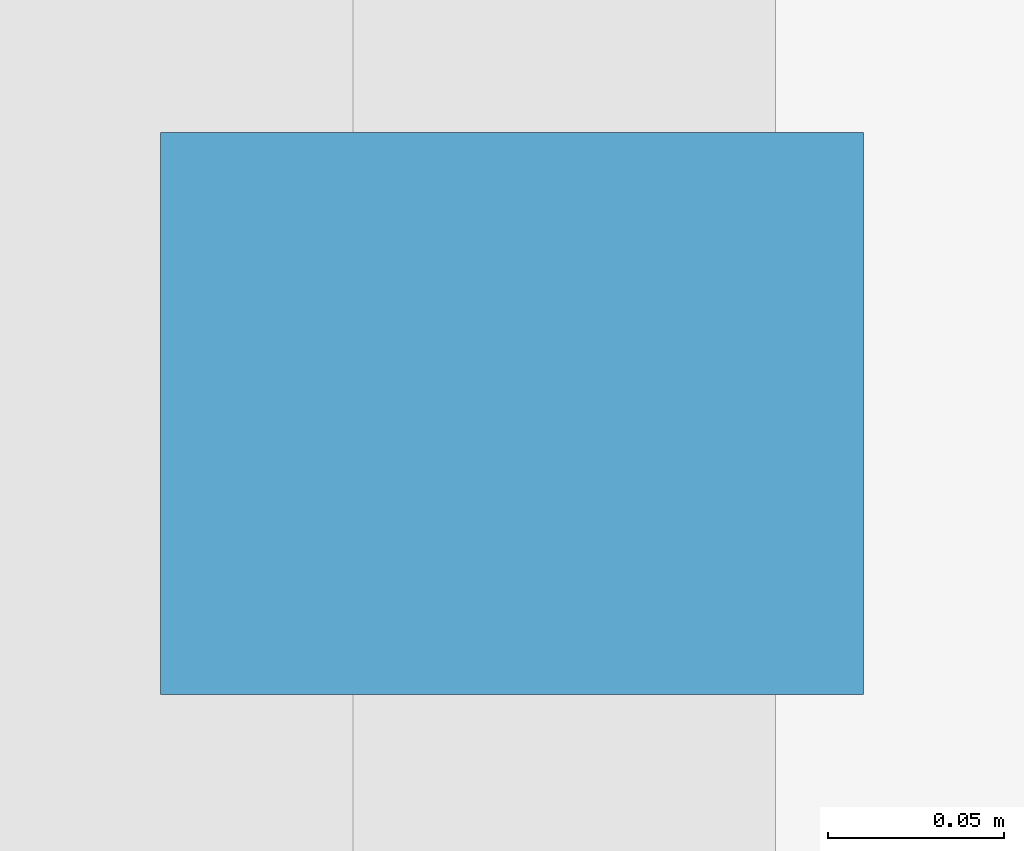
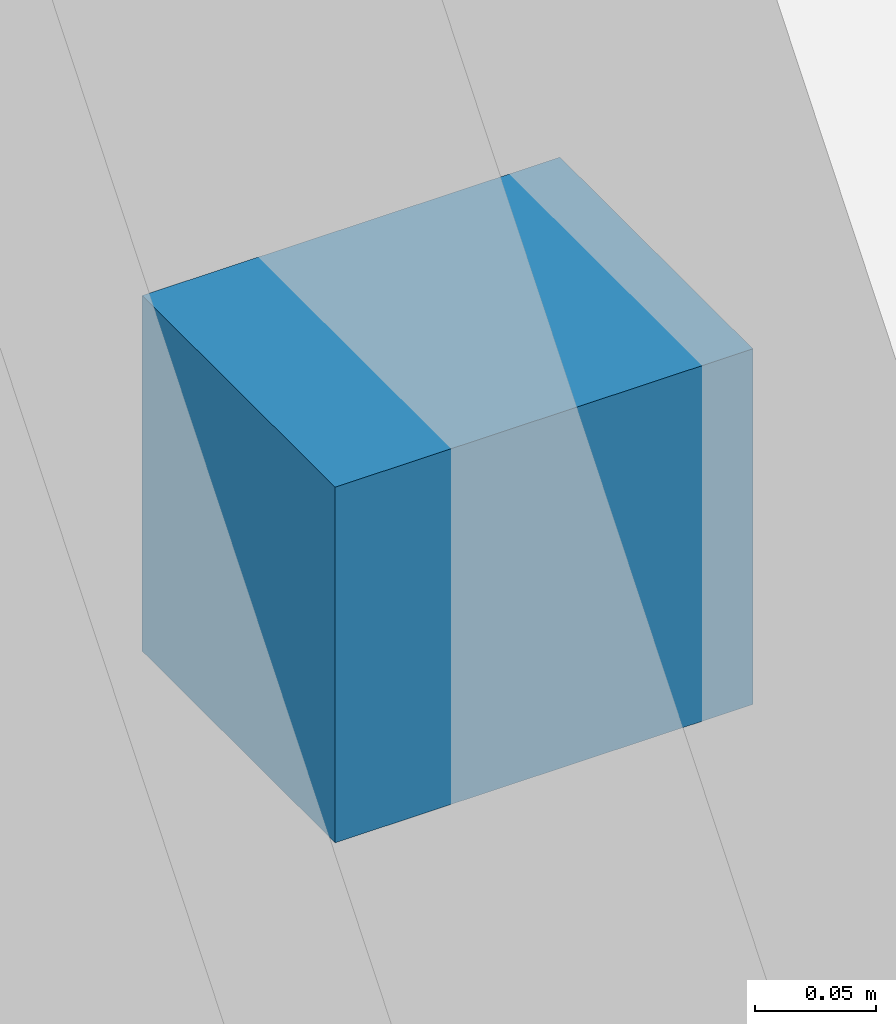
# One storey, part 14 of 17: 1 discrete accessory.
"""IFC4 building model written with IfcOpenShell, lengths in metres."""

from ifc_helpers import new_model, si_unit, direction, frame, origin, origin_2d, place, context, subcontext, project, spatial, rectangle, extrude, material, type_object, element, save


model = new_model("IFC4")

# Units and contexts
model_context = context("Model", 3, precision=1e-05, world=origin(), true_north=direction((0.0, 1.0)))
body_context = subcontext(model_context, "Body", "Model", "MODEL_VIEW")
ifc_project = project(units=[si_unit("LENGTHUNIT", "METRE"), si_unit("AREAUNIT", "SQUARE_METRE"), si_unit("VOLUMEUNIT", "CUBIC_METRE"), si_unit("PLANEANGLEUNIT", "RADIAN"), si_unit("MASSUNIT", "GRAM", prefix="KILO")], contexts=[model_context])

# Site, building, storey
site_placement = place(None, origin())
site = spatial("IfcSite", under=ifc_project, at=site_placement, CompositionType="ELEMENT")
building_placement = place(site_placement, origin())
building = spatial("IfcBuilding", under=site, at=building_placement, Name="Koriwani Terraces Tower", CompositionType="ELEMENT")
storey_placement = place(building_placement, frame((0.0, 0.0, 347.60009765625)))
storey = spatial("IfcBuildingStorey", under=building, at=storey_placement, Name="L86", CompositionType="ELEMENT", Elevation=347.60009765625)

# Discrete accessory
ifc_material = material(Name="Steel ASTM A572 Grade 50", Category="steel")
discrete_accessory_type = type_object("IfcDiscreteAccessoryType", Name="BAGUETTE_STANDOFF_BRACKET", PredefinedType="BRACKET", material=ifc_material)
discrete_accessory_placement = place(storey_placement, frame((8.7900390625, 54.60009765625, 1.7451171875), z_axis=(0.0, 0.0, 1.0), x_axis=(0.0, 1.0, 0.0)))
element("IfcDiscreteAccessory", 1, at=discrete_accessory_placement, inside=storey, type_object=discrete_accessory_type, Name="L86 Terracotta Baguette Bracket (W-15)", PredefinedType="BRACKET", context=body_context, shape_type="SweptSolid", body=[
    extrude(rectangle(XDim=0.159912109375, YDim=0.199951171875, at=origin_2d()), origin(), (0.0, 0.0, 1.0), 0.179931640625),
])

save(model, "model.ifc")
